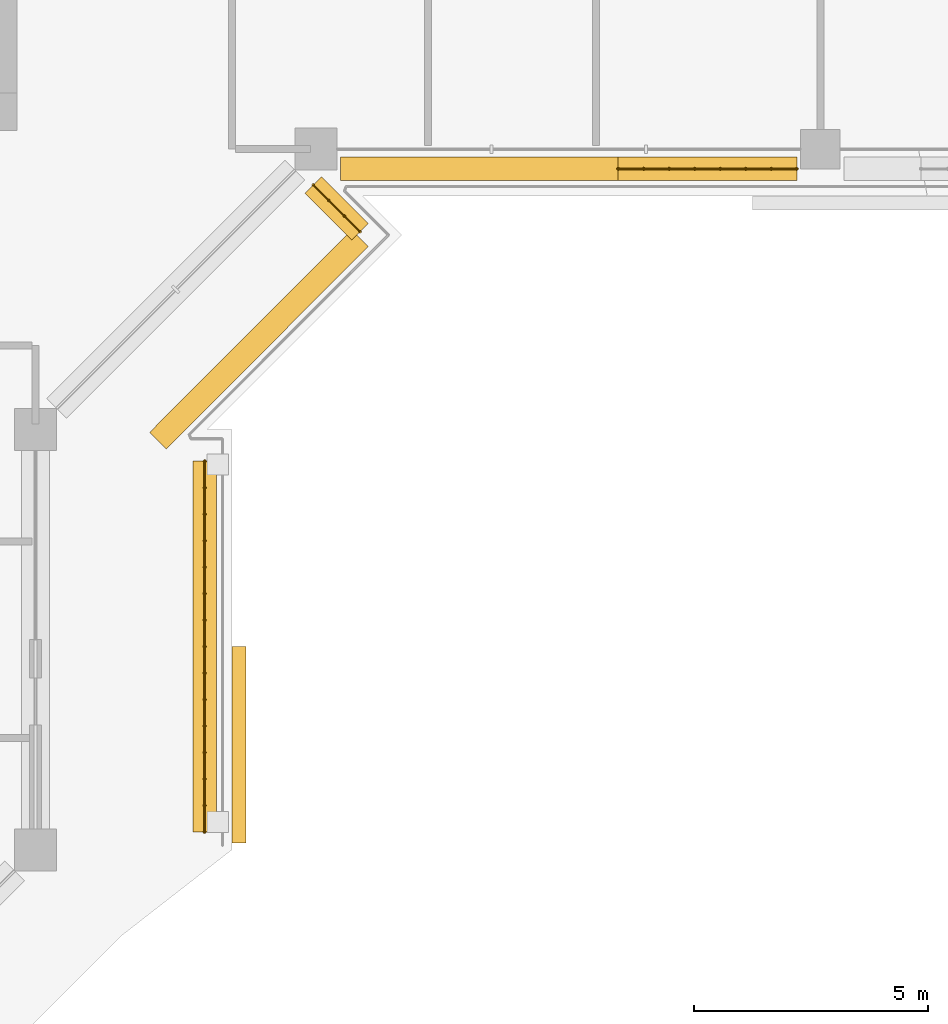
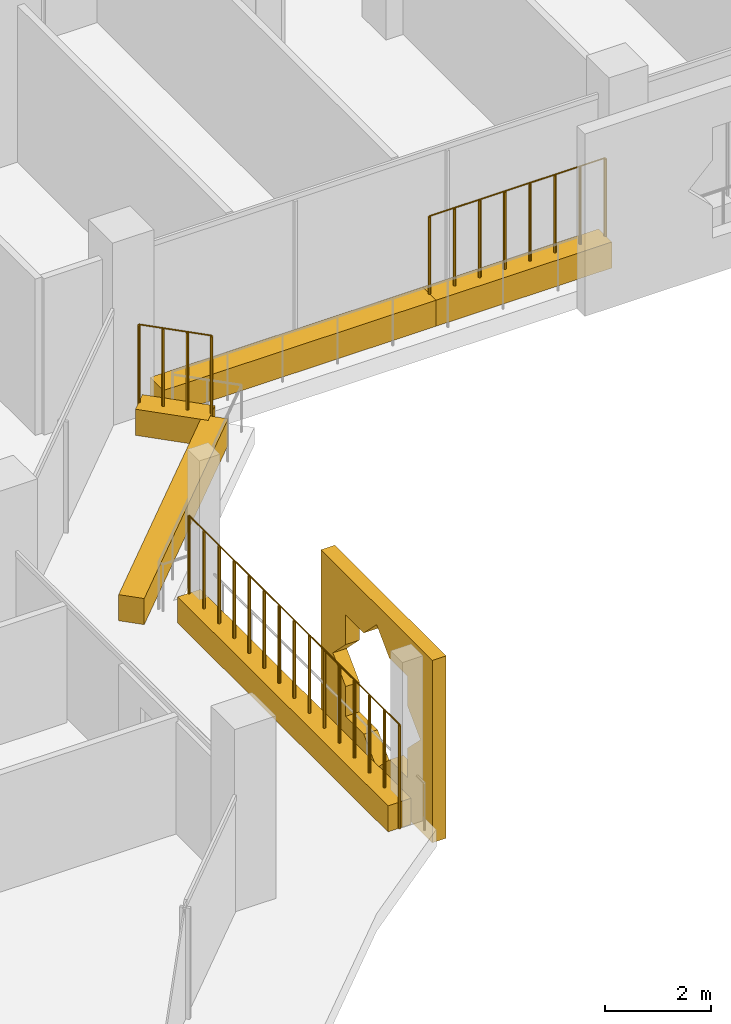
# One storey, part 16 of 21: 6 coverings, 3 railings.
"""IFC4 building model written with IfcOpenShell, lengths in metres."""

from ifc_helpers import new_model, si_unit, direction, frame, origin, origin_2d, place, context, subcontext, project, spatial, polyline, rectangle, circle, outline, extrude, material, material_profile, profile_set, type_object, element, save


model = new_model("IFC4")

# Units and contexts
model_context = context("Model", 3, precision=1e-05, world=origin(), true_north=direction((0.0, 1.0)))
body_context = subcontext(model_context, "Body", "Model", "MODEL_VIEW")
ifc_project = project(units=[si_unit("LENGTHUNIT", "METRE"), si_unit("AREAUNIT", "SQUARE_METRE"), si_unit("VOLUMEUNIT", "CUBIC_METRE"), si_unit("PLANEANGLEUNIT", "RADIAN"), si_unit("MASSUNIT", "GRAM", prefix="KILO")], contexts=[model_context])

# Site, building, storey
site_placement = place(None, origin())
site = spatial("IfcSite", under=ifc_project, at=site_placement, CompositionType="ELEMENT")
building_placement = place(site_placement, origin())
building = spatial("IfcBuilding", under=site, at=building_placement, Name="Kawkab Arch Medical Tower", CompositionType="ELEMENT")
storey_placement = place(building_placement, frame((0.0, 0.0, 243.199951171875)))
storey = spatial("IfcBuildingStorey", under=building, at=storey_placement, Name="L56", CompositionType="ELEMENT", Elevation=243.199951171875)

# Coverings
ifc_material_1 = material(Name="Bronze anodised aluminium mashrabiya panel, eight-point star pattern", Category="aluminium")
ifc_material_profile_1 = material_profile(ifc_material_1, outline(polyline([(-2.10009765625, -2.10009765625), (2.10009765625, -2.10009765625), (2.10009765625, 2.10009765625), (-2.10009765625, 2.10009765625), (-2.10009765625, -2.10009765625)]), holes=[polyline([(1.64990234375, 0.0), (1.166748046875, 0.4833984375), (1.166748046875, 1.166748046875), (0.4833984375, 1.166748046875), (0.0, 1.64990234375), (-0.4833984375, 1.166748046875), (-1.166748046875, 1.166748046875), (-1.166748046875, 0.4833984375), (-1.64990234375, 0.0), (-1.166748046875, -0.4833984375), (-1.166748046875, -1.166748046875), (-0.4833984375, -1.166748046875), (0.0, -1.64990234375), (0.4833984375, -1.166748046875), (1.166748046875, -1.166748046875), (1.166748046875, -0.4833984375), (1.64990234375, 0.0)])]), Name="Mashrabiya panel 4200x4200")
ifc_profile_set_1 = profile_set([ifc_material_profile_1], Name="Bronze anodised aluminium mashrabiya panel, eight-point star pattern")
covering_type_1 = type_object("IfcCoveringType", Name="Mashrabiya panel 4200 x 4200", PredefinedType="USERDEFINED", material=ifc_profile_set_1)
covering_1_placement = place(storey_placement, frame((29.39990234375, -37.94873046875, 1.699951171875), z_axis=(1.0, 0.0, 0.0), x_axis=(0.0, 1.0, 0.0)))
element("IfcCovering", 1, at=covering_1_placement, inside=storey, type_object=covering_type_1, Name="Mashrabiya panel L56.LOG-01-01.11", ObjectType="SCREEN", PredefinedType="USERDEFINED", context=body_context, shape_type="SweptSolid", body=[
    extrude(outline(polyline([(-2.10009765625, -2.10009765625), (2.10009765625, -2.10009765625), (2.10009765625, 2.10009765625), (-2.10009765625, 2.10009765625), (-2.10009765625, -2.10009765625)]), holes=[polyline([(1.64990234375, 0.0), (1.166748046875, 0.4833984375), (1.166748046875, 1.166748046875), (0.4833984375, 1.166748046875), (0.0, 1.64990234375), (-0.4833984375, 1.166748046875), (-1.166748046875, 1.166748046875), (-1.166748046875, 0.4833984375), (-1.64990234375, 0.0), (-1.166748046875, -0.4833984375), (-1.166748046875, -1.166748046875), (-0.4833984375, -1.166748046875), (0.0, -1.64990234375), (0.4833984375, -1.166748046875), (1.166748046875, -1.166748046875), (1.166748046875, -0.4833984375), (1.64990234375, 0.0)])]), origin(), (0.0, 0.0, 1.0), 0.300048828125),
])
ifc_material_2 = material(Name="Planting soil in a precast trough", Category="concrete")
ifc_material_profile_2 = material_profile(ifc_material_2, rectangle(XDim=0.5, YDim=0.60009765625, at=origin_2d()), Name="Trough 500x600")
ifc_profile_set_2 = profile_set([ifc_material_profile_2], Name="Planting soil in a precast trough")
covering_type_2 = type_object("IfcCoveringType", Name="Planter trough 500 x 600", PredefinedType="USERDEFINED", material=ifc_profile_set_2)
covering_2_placement = place(storey_placement, frame((41.4951171875, -25.6201171875, 0.300048828125), z_axis=(-1.0, 0.0, 0.0), x_axis=(0.0, -1.0, 0.0)))
element("IfcCovering", 2, at=covering_2_placement, inside=storey, type_object=covering_type_2, Name="Planter L56.LOG-01-01.35", ObjectType="PLANTER", PredefinedType="USERDEFINED", context=body_context, shape_type="SweptSolid", body=[
    extrude(rectangle(XDim=0.5, YDim=0.60009765625, at=origin_2d()), origin(), (0.0, 0.0, 1.0), 3.8251953125),
])
covering_3_placement = place(storey_placement, frame((37.669921875, -25.6201171875, 0.300048828125), z_axis=(-1.0, 0.0, 0.0), x_axis=(0.0, -1.0, 0.0)))
element("IfcCovering", 3, at=covering_3_placement, inside=storey, type_object=covering_type_2, Name="Planter L56.LOG-01-01.36", ObjectType="PLANTER", PredefinedType="USERDEFINED", context=body_context, shape_type="SweptSolid", body=[
    extrude(rectangle(XDim=0.5, YDim=0.60009765625, at=origin_2d()), origin(), (0.0, 0.0, 1.0), 5.93994140625),
])
covering_4_placement = place(storey_placement, frame((31.14306640625, -25.962890625, 0.300048828125), z_axis=(0.707020805532, -0.707192746389, 0.0), x_axis=(0.707192746389, 0.707020805532, 0.0)))
element("IfcCovering", 4, at=covering_4_placement, inside=storey, type_object=covering_type_2, Name="Planter L56.LOG-01-01.37", ObjectType="PLANTER", PredefinedType="USERDEFINED", context=body_context, shape_type="SweptSolid", body=[
    extrude(rectangle(XDim=0.5, YDim=0.60009765625, at=origin_2d()), origin(), (0.0, 0.0, 1.0), 1.419921875),
])
covering_5_placement = place(storey_placement, frame((32.14697265625, -27.10888671875, 0.300048828125), z_axis=(-0.707007043994, -0.707206504313, 0.0), x_axis=(0.707206504313, -0.707007043994, 0.0)))
element("IfcCovering", 5, at=covering_5_placement, inside=storey, type_object=covering_type_2, Name="Planter L56.LOG-01-01.38", ObjectType="PLANTER", PredefinedType="USERDEFINED", context=body_context, shape_type="SweptSolid", body=[
    extrude(rectangle(XDim=0.5, YDim=0.60009765625, at=origin_2d()), origin(), (0.0, 0.0, 1.0), 6.1201171875),
])
covering_6_placement = place(storey_placement, frame((28.820068359375, -31.8798828125, 0.300048828125), z_axis=(0.0, -1.0, 0.0), x_axis=(1.0, 0.0, 0.0)))
element("IfcCovering", 6, at=covering_6_placement, inside=storey, type_object=covering_type_2, Name="Planter L56.LOG-01-01.39", ObjectType="PLANTER", PredefinedType="USERDEFINED", context=body_context, shape_type="SweptSolid", body=[
    extrude(rectangle(XDim=0.5, YDim=0.60009765625, at=origin_2d()), origin(), (0.0, 0.0, 1.0), 7.93603515625),
])

# Railings
ifc_material_3 = material(Name="Bronze anodised aluminium trellis for climbing plants", Category="aluminium")
railing_type = type_object("IfcRailingType", Name="Planting trellis 2400", PredefinedType="USERDEFINED", material=ifc_material_3)
railing_1_placement = place(storey_placement, frame((41.4951171875, -25.6201171875, 0.0)))
element("IfcRailing", 7, at=railing_1_placement, inside=storey, type_object=railing_type, Name="Planting trellis L56.LOG-01-01.35", ObjectType="TRELLIS", PredefinedType="USERDEFINED", context=body_context, shape_type="SweptSolid", body=[
    extrude(circle(Radius=0.01513671875, at=origin_2d()), frame((0.0, 0.0, 2.384765625), z_axis=(-1.0, 0.0, 0.0), x_axis=(0.0, -1.0, 0.0)), (0.0, 0.0, 1.0), 3.8251953125),
    extrude(circle(Radius=0.030029296875, at=origin_2d()), origin(), (0.0, 0.0, 1.0), 2.369873046875),
    extrude(circle(Radius=0.030029296875, at=origin_2d()), frame((-0.54638671875, 0.0, 0.0)), (0.0, 0.0, 1.0), 2.369873046875),
    extrude(circle(Radius=0.030029296875, at=origin_2d()), frame((-1.093017578125, 0.0, 0.0)), (0.0, 0.0, 1.0), 2.369873046875),
    extrude(circle(Radius=0.030029296875, at=origin_2d()), frame((-1.639404296875, 0.0, 0.0)), (0.0, 0.0, 1.0), 2.369873046875),
    extrude(circle(Radius=0.030029296875, at=origin_2d()), frame((-2.185791015625, 0.0, 0.0)), (0.0, 0.0, 1.0), 2.369873046875),
    extrude(circle(Radius=0.030029296875, at=origin_2d()), frame((-2.732177734375, 0.0, 0.0)), (0.0, 0.0, 1.0), 2.369873046875),
    extrude(circle(Radius=0.030029296875, at=origin_2d()), frame((-3.27880859375, 0.0, 0.0)), (0.0, 0.0, 1.0), 2.369873046875),
    extrude(circle(Radius=0.030029296875, at=origin_2d()), frame((-3.8251953125, 0.0, 0.0)), (0.0, 0.0, 1.0), 2.369873046875),
])
railing_2_placement = place(storey_placement, frame((31.14306640625, -25.962890625, 0.0)))
element("IfcRailing", 8, at=railing_2_placement, inside=storey, type_object=railing_type, Name="Planting trellis L56.LOG-01-01.37", ObjectType="TRELLIS", PredefinedType="USERDEFINED", context=body_context, shape_type="SweptSolid", body=[
    extrude(circle(Radius=0.01513671875, at=origin_2d()), frame((0.0, 0.0, 2.384765625), z_axis=(0.707020805532, -0.707192746389, 0.0), x_axis=(0.707192746389, 0.707020805532, 0.0)), (0.0, 0.0, 1.0), 1.419921875),
    extrude(circle(Radius=0.030029296875, at=origin_2d()), origin(), (0.0, 0.0, 1.0), 2.369873046875),
    extrude(circle(Radius=0.030029296875, at=origin_2d()), frame((0.334716796875, -0.334716796875, 0.0)), (0.0, 0.0, 1.0), 2.369873046875),
    extrude(circle(Radius=0.030029296875, at=origin_2d()), frame((0.669189453125, -0.66943359375, 0.0)), (0.0, 0.0, 1.0), 2.369873046875),
    extrude(circle(Radius=0.030029296875, at=origin_2d()), frame((1.00390625, -1.004150390625, 0.0)), (0.0, 0.0, 1.0), 2.369873046875),
])
railing_3_placement = place(storey_placement, frame((28.820068359375, -31.8798828125, 0.0)))
element("IfcRailing", 9, at=railing_3_placement, inside=storey, type_object=railing_type, Name="Planting trellis L56.LOG-01-01.39", ObjectType="TRELLIS", PredefinedType="USERDEFINED", context=body_context, shape_type="SweptSolid", body=[
    extrude(circle(Radius=0.01513671875, at=origin_2d()), frame((0.0, 0.0, 2.384765625), z_axis=(0.0, -1.0, 0.0), x_axis=(1.0, 0.0, 0.0)), (0.0, 0.0, 1.0), 7.93603515625),
    extrude(circle(Radius=0.030029296875, at=origin_2d()), origin(), (0.0, 0.0, 1.0), 2.369873046875),
    extrude(circle(Radius=0.030029296875, at=origin_2d()), frame((0.0, -0.56689453125, 0.0)), (0.0, 0.0, 1.0), 2.369873046875),
    extrude(circle(Radius=0.030029296875, at=origin_2d()), frame((0.0, -1.1337890625, 0.0)), (0.0, 0.0, 1.0), 2.369873046875),
    extrude(circle(Radius=0.030029296875, at=origin_2d()), frame((0.0, -1.70068359375, 0.0)), (0.0, 0.0, 1.0), 2.369873046875),
    extrude(circle(Radius=0.030029296875, at=origin_2d()), frame((0.0, -2.267333984375, 0.0)), (0.0, 0.0, 1.0), 2.369873046875),
    extrude(circle(Radius=0.030029296875, at=origin_2d()), frame((0.0, -2.834228515625, 0.0)), (0.0, 0.0, 1.0), 2.369873046875),
    extrude(circle(Radius=0.030029296875, at=origin_2d()), frame((0.0, -3.401123046875, 0.0)), (0.0, 0.0, 1.0), 2.369873046875),
    extrude(circle(Radius=0.030029296875, at=origin_2d()), frame((0.0, -3.968017578125, 0.0)), (0.0, 0.0, 1.0), 2.369873046875),
    extrude(circle(Radius=0.030029296875, at=origin_2d()), frame((0.0, -4.534912109375, 0.0)), (0.0, 0.0, 1.0), 2.369873046875),
    extrude(circle(Radius=0.030029296875, at=origin_2d()), frame((0.0, -5.101806640625, 0.0)), (0.0, 0.0, 1.0), 2.369873046875),
    extrude(circle(Radius=0.030029296875, at=origin_2d()), frame((0.0, -5.668701171875, 0.0)), (0.0, 0.0, 1.0), 2.369873046875),
    extrude(circle(Radius=0.030029296875, at=origin_2d()), frame((0.0, -6.2353515625, 0.0)), (0.0, 0.0, 1.0), 2.369873046875),
    extrude(circle(Radius=0.030029296875, at=origin_2d()), frame((0.0, -6.80224609375, 0.0)), (0.0, 0.0, 1.0), 2.369873046875),
    extrude(circle(Radius=0.030029296875, at=origin_2d()), frame((0.0, -7.369140625, 0.0)), (0.0, 0.0, 1.0), 2.369873046875),
    extrude(circle(Radius=0.030029296875, at=origin_2d()), frame((0.0, -7.93603515625, 0.0)), (0.0, 0.0, 1.0), 2.369873046875),
])

save(model, "model.ifc")
